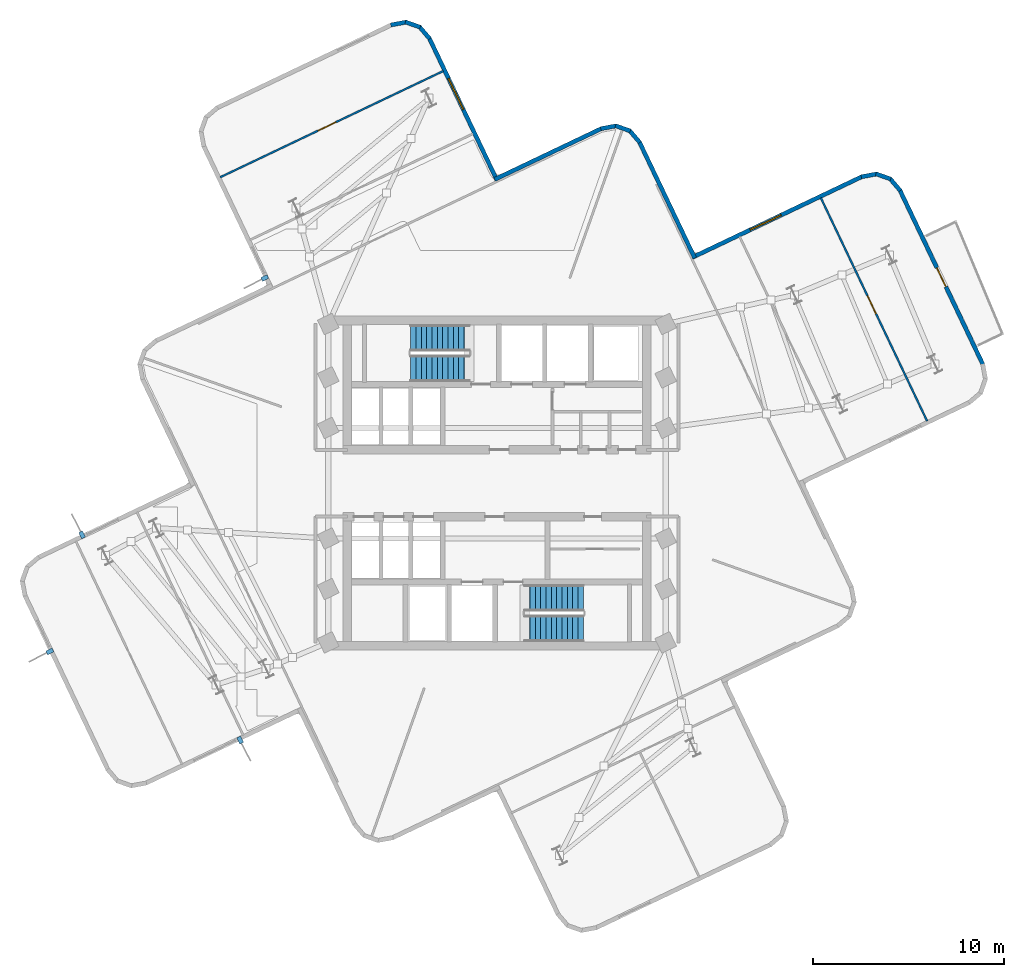
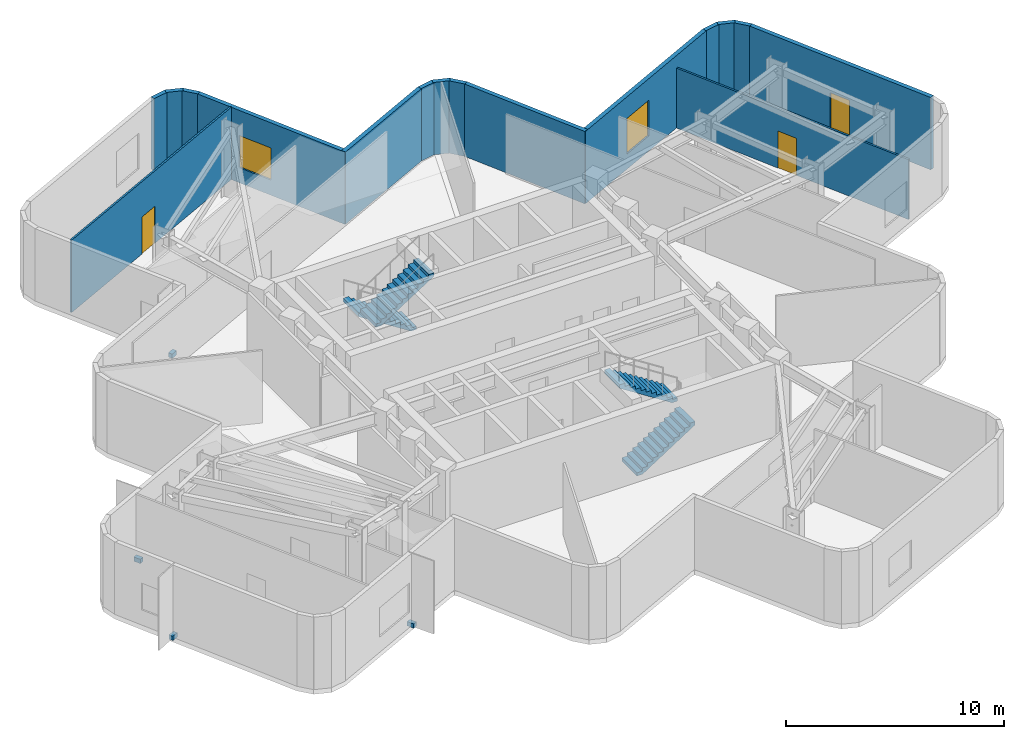
# One storey, part 5 of 7: 16 walls, 4 discrete accessories, 4 stair flights, 3 doors, 2 windows, 5 openings, 2 elements without a shape of their own.
"""IFC4 building model written with IfcOpenShell, lengths in metres."""

from ifc_helpers import new_model, si_unit, direction, frame, frame_2d, origin, origin_2d, place, context, subcontext, project, spatial, polyline, rectangle, outline, extrude, material, layer, layer_set, type_object, element, fill, aggregate, save


model = new_model("IFC4")

# Units and contexts
model_context = context("Model", 3, precision=1e-05, world=origin(), true_north=direction((0.0, 1.0)))
body_context = subcontext(model_context, "Body", "Model", "MODEL_VIEW")
ifc_project = project(units=[si_unit("LENGTHUNIT", "METRE"), si_unit("AREAUNIT", "SQUARE_METRE"), si_unit("VOLUMEUNIT", "CUBIC_METRE"), si_unit("PLANEANGLEUNIT", "RADIAN"), si_unit("MASSUNIT", "GRAM", prefix="KILO")], contexts=[model_context])

# Site, building, storey
site_placement = place(None, origin())
site = spatial("IfcSite", under=ifc_project, at=site_placement, CompositionType="ELEMENT")
building_placement = place(site_placement, origin())
building = spatial("IfcBuilding", under=site, at=building_placement, Name="Solmarez Civic Tower", CompositionType="ELEMENT")
storey_placement = place(building_placement, frame((0.0, 0.0, 188.280029296875)))
storey = spatial("IfcBuildingStorey", under=building, at=storey_placement, Name="L50", CompositionType="ELEMENT", Elevation=188.280029296875)

# Walls
ifc_material_1 = material(Name="Precast concrete C40/50", Category="concrete")
ifc_layer_1 = layer(ifc_material_1, 0.219970703125)
ifc_layer_set_1 = layer_set([ifc_layer_1], Name="Precast concrete C40/50")
wall_type_1 = type_object("IfcWallType", Name="WALL-EXT-220", PredefinedType="SOLIDWALL", material=ifc_layer_set_1)
wall_1_placement = place(storey_placement, frame((-5.572021484375, 24.034912109375, 0.0), z_axis=(0.0, 0.0, 1.0), x_axis=(0.983270369864, 0.182152078628, 0.0)))
element("IfcWall", 1, at=wall_1_placement, inside=storey, type_object=wall_type_1, Name="L50 Exterior Precast Wall 25", PredefinedType="SOLIDWALL", context=body_context, shape_type="SweptSolid", body=[
    extrude(rectangle(XDim=0.8349609375, YDim=0.219970703125, at=frame_2d((0.41748046875, 0.0))), origin(), (0.0, 0.0, 1.0), 4.06005859375),
])
wall_2_placement = place(storey_placement, frame((-4.800048828125, 24.18994140625, 0.0), z_axis=(0.0, 0.0, 1.0), x_axis=(0.94293533639, -0.332975902111, 0.0)))
element("IfcWall", 2, at=wall_2_placement, inside=storey, type_object=wall_type_1, Name="L50 Exterior Precast Wall 26", PredefinedType="SOLIDWALL", context=body_context, shape_type="SweptSolid", body=[
    extrude(rectangle(XDim=0.81982421875, YDim=0.219970703125, at=frame_2d((0.409912109375, 0.0))), origin(), (0.0, 0.0, 1.0), 4.06005859375),
])
wall_3_placement = place(storey_placement, frame((-4.06689453125, 23.944091796875, 0.0), z_axis=(0.0, 0.0, 1.0), x_axis=(0.648522984106, -0.761195072952, 0.0)))
element("IfcWall", 3, at=wall_3_placement, inside=storey, type_object=wall_type_1, Name="L50 Exterior Precast Wall 27", PredefinedType="SOLIDWALL", context=body_context, shape_type="SweptSolid", body=[
    extrude(rectangle(XDim=0.834228515625, YDim=0.219970703125, at=frame_2d((0.4169921875, 0.0))), origin(), (0.0, 0.0, 1.0), 4.06005859375),
])

# Wall, opening, window
wall_4_placement = place(storey_placement, frame((-3.552978515625, 23.35107421875, 0.0), z_axis=(0.0, 0.0, 1.0), x_axis=(0.429939317392, -0.902857786897, 0.0)))
wall_4 = element("IfcWall", 4, at=wall_4_placement, inside=storey, type_object=wall_type_1, Name="L50 Exterior Precast Wall 28", PredefinedType="SOLIDWALL", context=body_context, shape_type="SweptSolid", body=[
    extrude(rectangle(XDim=8.25927734375, YDim=0.219970703125, at=frame_2d((4.129638671875, 0.0))), origin(), (0.0, 0.0, 1.0), 4.06005859375),
])
opening_1_placement = place(wall_4_placement, frame((2.35009765625, 0.0, 0.85009765625)))
opening_1 = element("IfcOpeningElement", 5, at=opening_1_placement, cuts=wall_4, Name="Opening W-08", PredefinedType="OPENING", context=body_context, shape_type="SweptSolid", body=[
    extrude(rectangle(XDim=1.800048828125, YDim=1.800048828125, at=frame_2d((0.89990234375, 0.89990234375))), frame((0.0, 0.119873046875, 0.0), z_axis=(0.0, -1.0, 0.0), x_axis=(1.0, 0.0, 0.0)), (0.0, 0.0, 1.0), 0.239990234375),
])
ifc_material_2 = material(Name="Solar Control Bronze-Tinted Insulating Glass", Category="glass")
window_type_1 = type_object("IfcWindowType", Name="WIN-1800X1800", PartitioningType="SINGLE_PANEL", PredefinedType="WINDOW", material=ifc_material_2)
window_1_placement = place(opening_1_placement, origin())
window_1 = element("IfcWindow", 6, at=window_1_placement, inside=storey, type_object=window_type_1, Name="L50 Exterior Facade Window 28", OverallHeight=1.800048828125, OverallWidth=1.800048828125, PartitioningType="SINGLE_PANEL", PredefinedType="WINDOW", context=body_context, shape_type="SweptSolid", body=[
    extrude(rectangle(XDim=1.800048828125, YDim=1.800048828125, at=frame_2d((0.89990234375, 0.89990234375))), frame((0.0, 0.030029296875, 0.0), z_axis=(0.0, -1.0, 0.0), x_axis=(1.0, 0.0, 0.0)), (0.0, 0.0, 1.0), 0.06005859375),
])
fill(opening_1, window_1)

# Walls
wall_5_placement = place(storey_placement, frame((-0.118896484375, 15.93505859375, 0.0), z_axis=(0.0, 0.0, 1.0), x_axis=(0.902830035878, 0.429997588734, 0.0)))
element("IfcWall", 7, at=wall_5_placement, inside=storey, type_object=wall_type_1, Name="L50 Exterior Precast Wall 31", PredefinedType="SOLIDWALL", context=body_context, shape_type="SweptSolid", body=[
    extrude(rectangle(XDim=6.21826171875, YDim=0.219970703125, at=frame_2d((3.109130859375, 0.0))), origin(), (0.0, 0.0, 1.0), 4.06005859375),
])
wall_6_placement = place(storey_placement, frame((5.447021484375, 18.593017578125, 0.0), z_axis=(0.0, 0.0, 1.0), x_axis=(0.983060298944, 0.183282428617, 0.0)))
element("IfcWall", 8, at=wall_6_placement, inside=storey, type_object=wall_type_1, Name="L50 Exterior Precast Wall 32", PredefinedType="SOLIDWALL", context=body_context, shape_type="SweptSolid", body=[
    extrude(rectangle(XDim=0.835205078125, YDim=0.219970703125, at=frame_2d((0.41748046875, 0.0))), origin(), (0.0, 0.0, 1.0), 4.06005859375),
])
wall_7_placement = place(storey_placement, frame((6.218994140625, 18.7490234375, 0.0), z_axis=(0.0, 0.0, 1.0), x_axis=(0.942560843875, -0.33403451258, 0.0)))
element("IfcWall", 9, at=wall_7_placement, inside=storey, type_object=wall_type_1, Name="L50 Exterior Precast Wall 33", PredefinedType="SOLIDWALL", context=body_context, shape_type="SweptSolid", body=[
    extrude(rectangle(XDim=0.820068359375, YDim=0.219970703125, at=frame_2d((0.41015625, 0.0))), origin(), (0.0, 0.0, 1.0), 4.06005859375),
])
wall_8_placement = place(storey_placement, frame((6.951904296875, 18.501953125, 0.0), z_axis=(0.0, 0.0, 1.0), x_axis=(0.649101191157, -0.76070207285, 0.0)))
element("IfcWall", 10, at=wall_8_placement, inside=storey, type_object=wall_type_1, Name="L50 Exterior Precast Wall 34", PredefinedType="SOLIDWALL", context=body_context, shape_type="SweptSolid", body=[
    extrude(rectangle(XDim=0.83349609375, YDim=0.219970703125, at=frame_2d((0.416748046875, 0.0))), origin(), (0.0, 0.0, 1.0), 4.06005859375),
])
wall_9_placement = place(storey_placement, frame((7.466064453125, 17.909912109375, 0.0), z_axis=(0.0, 0.0, 1.0), x_axis=(0.429909746524, -0.902871867899, 0.0)))
element("IfcWall", 11, at=wall_9_placement, inside=storey, type_object=wall_type_1, Name="L50 Exterior Precast Wall 35", PredefinedType="SOLIDWALL", context=body_context, shape_type="SweptSolid", body=[
    extrude(rectangle(XDim=6.759521484375, YDim=0.219970703125, at=frame_2d((3.3798828125, 0.0))), origin(), (0.0, 0.0, 1.0), 4.06005859375),
])

# Wall, opening, window
wall_10_placement = place(storey_placement, frame((10.2548828125, 11.847900390625, 0.0), z_axis=(0.0, 0.0, 1.0), x_axis=(0.902845413107, 0.429965300962, 0.0)))
wall_10 = element("IfcWall", 12, at=wall_10_placement, inside=storey, type_object=wall_type_1, Name="L50 Exterior Precast Wall 38", PredefinedType="SOLIDWALL", context=body_context, shape_type="SweptSolid", body=[
    extrude(rectangle(XDim=9.85888671875, YDim=0.219970703125, at=frame_2d((4.929443359375, 0.0))), origin(), (0.0, 0.0, 1.0), 4.06005859375),
])
opening_2_placement = place(wall_10_placement, frame((3.35009765625, 0.0, 0.85009765625)))
opening_2 = element("IfcOpeningElement", 13, at=opening_2_placement, cuts=wall_10, Name="Opening W-04", PredefinedType="OPENING", context=body_context, shape_type="SweptSolid", body=[
    extrude(rectangle(XDim=1.800048828125, YDim=2.0, at=frame_2d((0.89990234375, 1.0))), frame((0.0, 0.119873046875, 0.0), z_axis=(0.0, -1.0, 0.0), x_axis=(1.0, 0.0, 0.0)), (0.0, 0.0, 1.0), 0.239990234375),
])
window_type_2 = type_object("IfcWindowType", Name="WIN-1800X2000", PartitioningType="SINGLE_PANEL", PredefinedType="WINDOW", material=ifc_material_2)
window_2_placement = place(opening_2_placement, origin())
window_2 = element("IfcWindow", 14, at=window_2_placement, inside=storey, type_object=window_type_2, Name="L50 Exterior Facade Window 38", OverallHeight=2.0, OverallWidth=1.800048828125, PartitioningType="SINGLE_PANEL", PredefinedType="WINDOW", context=body_context, shape_type="SweptSolid", body=[
    extrude(rectangle(XDim=1.800048828125, YDim=2.0, at=frame_2d((0.89990234375, 1.0))), frame((0.0, 0.030029296875, 0.0), z_axis=(0.0, -1.0, 0.0), x_axis=(1.0, 0.0, 0.0)), (0.0, 0.0, 1.0), 0.06005859375),
])
fill(opening_2, window_2)

# Walls
wall_11_placement = place(storey_placement, frame((19.10791015625, 16.071044921875, 0.0), z_axis=(0.0, 0.0, 1.0), x_axis=(0.983322698467, 0.181869378069, 0.0)))
element("IfcWall", 15, at=wall_11_placement, inside=storey, type_object=wall_type_1, Name="L50 Exterior Precast Wall 39", PredefinedType="SOLIDWALL", context=body_context, shape_type="SweptSolid", body=[
    extrude(rectangle(XDim=0.8349609375, YDim=0.219970703125, at=frame_2d((0.41748046875, 0.0))), origin(), (0.0, 0.0, 1.0), 4.06005859375),
])
wall_12_placement = place(storey_placement, frame((19.8798828125, 16.22607421875, 0.0), z_axis=(0.0, 0.0, 1.0), x_axis=(0.942874853658, -0.333147130168, 0.0)))
element("IfcWall", 16, at=wall_12_placement, inside=storey, type_object=wall_type_1, Name="L50 Exterior Precast Wall 40", PredefinedType="SOLIDWALL", context=body_context, shape_type="SweptSolid", body=[
    extrude(rectangle(XDim=0.820068359375, YDim=0.219970703125, at=frame_2d((0.41015625, 0.0))), origin(), (0.0, 0.0, 1.0), 4.06005859375),
])
wall_13_placement = place(storey_placement, frame((20.613037109375, 15.97998046875, 0.0), z_axis=(0.0, 0.0, 1.0), x_axis=(0.648522984106, -0.761195072952, 0.0)))
element("IfcWall", 17, at=wall_13_placement, inside=storey, type_object=wall_type_1, Name="L50 Exterior Precast Wall 41", PredefinedType="SOLIDWALL", context=body_context, shape_type="SweptSolid", body=[
    extrude(rectangle(XDim=0.834228515625, YDim=0.219970703125, at=frame_2d((0.4169921875, 0.0))), origin(), (0.0, 0.0, 1.0), 4.06005859375),
])

# Wall, opening, door
wall_14_placement = place(storey_placement, frame((21.126953125, 15.386962890625, 0.0), z_axis=(0.0, 0.0, 1.0), x_axis=(0.429860836932, -0.902895154972, 0.0)))
wall_14 = element("IfcWall", 18, at=wall_14_placement, inside=storey, type_object=wall_type_1, Name="L50 Exterior Precast Wall 42", PredefinedType="SOLIDWALL", context=body_context, shape_type="SweptSolid", body=[
    extrude(rectangle(XDim=10.161865234375, YDim=0.219970703125, at=frame_2d((5.0810546875, 0.0))), origin(), (0.0, 0.0, 1.0), 4.06005859375),
])
opening_3_placement = place(wall_14_placement, frame((4.531005859375, 0.0, 0.0)))
opening_3 = element("IfcOpeningElement", 19, at=opening_3_placement, cuts=wall_14, Name="Opening D-06", PredefinedType="OPENING", context=body_context, shape_type="SweptSolid", body=[
    extrude(rectangle(XDim=1.10009765625, YDim=2.10009765625, at=frame_2d((0.550048828125, 1.050048828125))), frame((0.0, 0.119873046875, 0.0), z_axis=(0.0, -1.0, 0.0), x_axis=(1.0, 0.0, 0.0)), (0.0, 0.0, 1.0), 0.239990234375),
])
ifc_material_3 = material(Name="Bronze Anodised Aluminium Glazed Terrace Door", Category="aluminium")
door_type_1 = type_object("IfcDoorType", Name="DOOR-TERR-1100", OperationType="NOTDEFINED", PredefinedType="DOOR", material=ifc_material_3)
door_1_placement = place(opening_3_placement, origin())
door_1 = element("IfcDoor", 20, at=door_1_placement, inside=storey, type_object=door_type_1, Name="L50 Outdoor Terrace Glazed Door", OperationType="SINGLE_SWING_RIGHT", OverallHeight=2.10009765625, OverallWidth=1.10009765625, PredefinedType="DOOR", context=body_context, shape_type="SweptSolid", body=[
    extrude(rectangle(XDim=1.10009765625, YDim=2.10009765625, at=frame_2d((0.550048828125, 1.050048828125))), frame((0.0, 0.02490234375, 0.0), z_axis=(0.0, -1.0, 0.0), x_axis=(1.0, 0.0, 0.0)), (0.0, 0.0, 1.0), 0.050048828125),
])
fill(opening_3, door_1)

ifc_material_4 = material(Name="Gypsum Board Acoustic Steel-Stud Partition", Category="steel")
ifc_layer_2 = layer(ifc_material_4, 0.10009765625)
ifc_layer_set_2 = layer_set([ifc_layer_2], Name="Gypsum Board Acoustic Steel-Stud Partition")
wall_type_2 = type_object("IfcWallType", Name="WALL-INT-PART-100", PredefinedType="PARTITIONING", material=ifc_layer_set_2)
wall_15_placement = place(storey_placement, frame((16.98388671875, 14.969970703125, 0.0), z_axis=(0.0, 0.0, 1.0), x_axis=(0.429933580392, -0.902860518824, 0.0)))
wall_15 = element("IfcWall", 21, at=wall_15_placement, inside=storey, type_object=wall_type_2, Name="L50 Interior Partition PT-L50-E-SC2", PredefinedType="PARTITIONING", context=body_context, shape_type="SweptSolid", body=[
    extrude(rectangle(XDim=12.9697265625, YDim=0.10009765625, at=frame_2d((6.48486328125, 0.0))), origin(), (0.0, 0.0, 1.0), 3.364013671875),
])
opening_4_placement = place(wall_15_placement, frame((5.68994140625, 0.0, 0.0)))
opening_4 = element("IfcOpeningElement", 22, at=opening_4_placement, cuts=wall_15, Name="Opening D-13", PredefinedType="OPENING", context=body_context, shape_type="SweptSolid", body=[
    extrude(rectangle(XDim=1.050048828125, YDim=2.080078125, at=frame_2d((0.52490234375, 1.0400390625))), frame((0.0, 0.06005859375, 0.0), z_axis=(0.0, -1.0, 0.0), x_axis=(1.0, 0.0, 0.0)), (0.0, 0.0, 1.0), 0.1201171875),
])
ifc_material_5 = material(Name="Timber Directorate Office Door", Category="wood")
door_type_2 = type_object("IfcDoorType", Name="DOOR-INT-1050", OperationType="NOTDEFINED", PredefinedType="DOOR", material=ifc_material_5)
door_2_placement = place(opening_4_placement, origin())
door_2 = element("IfcDoor", 23, at=door_2_placement, inside=storey, type_object=door_type_2, Name="L50 Delegates Lounge East Door", OperationType="SINGLE_SWING_RIGHT", OverallHeight=2.080078125, OverallWidth=1.050048828125, PredefinedType="DOOR", context=body_context, shape_type="SweptSolid", body=[
    extrude(rectangle(XDim=1.050048828125, YDim=2.080078125, at=frame_2d((0.52490234375, 1.0400390625))), frame((0.0, 0.02490234375, 0.0), z_axis=(0.0, -1.0, 0.0), x_axis=(1.0, 0.0, 0.0)), (0.0, 0.0, 1.0), 0.050048828125),
])
fill(opening_4, door_2)

wall_16_placement = place(storey_placement, frame((-14.52294921875, 16.044921875, 0.0), z_axis=(0.0, 0.0, 1.0), x_axis=(0.902860518824, 0.429933580392, 0.0)))
wall_16 = element("IfcWall", 24, at=wall_16_placement, inside=storey, type_object=wall_type_2, Name="L50 Interior Partition PT-L50-N-SC2", PredefinedType="PARTITIONING", context=body_context, shape_type="SweptSolid", body=[
    extrude(rectangle(XDim=12.9697265625, YDim=0.10009765625, at=frame_2d((6.48486328125, 0.0))), origin(), (0.0, 0.0, 1.0), 4.06005859375),
])
opening_5_placement = place(wall_16_placement, frame((5.68994140625, 0.0, 0.0)))
opening_5 = element("IfcOpeningElement", 25, at=opening_5_placement, cuts=wall_16, Name="Opening D-13", PredefinedType="OPENING", context=body_context, shape_type="SweptSolid", body=[
    extrude(rectangle(XDim=1.050048828125, YDim=2.080078125, at=frame_2d((0.52490234375, 1.0400390625))), frame((0.0, 0.06005859375, 0.0), z_axis=(0.0, -1.0, 0.0), x_axis=(1.0, 0.0, 0.0)), (0.0, 0.0, 1.0), 0.1201171875),
])
door_3_placement = place(opening_5_placement, origin())
door_3 = element("IfcDoor", 26, at=door_3_placement, inside=storey, type_object=door_type_2, Name="L50 Tribunal Mediation Conference Room North Door", OperationType="SINGLE_SWING_RIGHT", OverallHeight=2.080078125, OverallWidth=1.050048828125, PredefinedType="DOOR", context=body_context, shape_type="SweptSolid", body=[
    extrude(rectangle(XDim=1.050048828125, YDim=2.080078125, at=frame_2d((0.52490234375, 1.0400390625))), frame((0.0, 0.02490234375, 0.0), z_axis=(0.0, -1.0, 0.0), x_axis=(1.0, 0.0, 0.0)), (0.0, 0.0, 1.0), 0.050048828125),
])
fill(opening_5, door_3)

# Stair, stair flights
ifc_material_6 = material(Name="Concrete C50/60", Category="concrete")
stair_type = type_object("IfcStairType", Name="STAIR-DOGLEG-140W-24R-1800", PredefinedType="HALF_TURN_STAIR", material=ifc_material_6)
stair_1_placement = place(storey_placement, origin())
stair_1 = element("IfcStair", 27, at=stair_1_placement, inside=storey, type_object=stair_type, Name="L50 North Core Protected Exit Stair ST-1", PredefinedType="HALF_TURN_STAIR")
stair_flight_type = type_object("IfcStairFlightType", Name="FLIGHT-DOGLEG-140W-12R-1800", PredefinedType="STRAIGHT", material=ifc_material_6)
stair_flight_1_placement = place(storey_placement, frame((-1.449951171875, 7.6201171875, 0.0), z_axis=(0.0, 0.0, 1.0), x_axis=(-1.0, 0.0, 0.0)))
stair_flight_1 = element("IfcStairFlight", 28, at=stair_flight_1_placement, type_object=stair_flight_type, Name="ST-1 flight 1", NumberOfRisers=12, NumberOfTreads=11, PredefinedType="STRAIGHT", RiserHeight=0.18, TreadLength=0.28, context=body_context, shape_type="SweptSolid", body=[
    extrude(outline(polyline([(0.0, 0.0), (0.0, 0.179931640625), (0.280029296875, 0.179931640625), (0.280029296875, 0.360107421875), (0.56005859375, 0.360107421875), (0.56005859375, 0.5400390625), (0.840087890625, 0.5400390625), (0.840087890625, 0.719970703125), (1.1201171875, 0.719970703125), (1.1201171875, 0.89990234375), (1.39990234375, 0.89990234375), (1.39990234375, 1.080078125), (1.679931640625, 1.080078125), (1.679931640625, 1.260009765625), (1.9599609375, 1.260009765625), (1.9599609375, 1.43994140625), (2.239990234375, 1.43994140625), (2.239990234375, 1.6201171875), (2.52001953125, 1.6201171875), (2.52001953125, 1.800048828125), (2.800048828125, 1.800048828125), (2.800048828125, 1.97998046875), (3.080078125, 1.97998046875), (3.080078125, 2.159912109375), (3.080078125, 1.789794921875), (0.295654296875, 0.0), (0.0, 0.0)])), frame((0.0, 0.699951171875, 0.0), z_axis=(0.0, -1.0, 0.0), x_axis=(1.0, 0.0, 0.0)), (0.0, 0.0, 1.0), 1.39990234375),
])
stair_flight_2_placement = place(storey_placement, frame((-4.530029296875, 6.02001953125, 2.159912109375), z_axis=(0.0, 0.0, 1.0), x_axis=(1.0, 0.0, 0.0)))
stair_flight_2 = element("IfcStairFlight", 29, at=stair_flight_2_placement, type_object=stair_flight_type, Name="ST-1 flight 2", NumberOfRisers=12, NumberOfTreads=11, PredefinedType="STRAIGHT", RiserHeight=0.18, TreadLength=0.28, context=body_context, shape_type="SweptSolid", body=[
    extrude(outline(polyline([(0.0, 0.0), (0.0, 0.179931640625), (0.280029296875, 0.179931640625), (0.280029296875, 0.360107421875), (0.56005859375, 0.360107421875), (0.56005859375, 0.5400390625), (0.840087890625, 0.5400390625), (0.840087890625, 0.719970703125), (1.1201171875, 0.719970703125), (1.1201171875, 0.89990234375), (1.39990234375, 0.89990234375), (1.39990234375, 1.080078125), (1.679931640625, 1.080078125), (1.679931640625, 1.260009765625), (1.9599609375, 1.260009765625), (1.9599609375, 1.43994140625), (2.239990234375, 1.43994140625), (2.239990234375, 1.6201171875), (2.52001953125, 1.6201171875), (2.52001953125, 1.800048828125), (2.800048828125, 1.800048828125), (2.800048828125, 1.97998046875), (3.080078125, 1.97998046875), (3.080078125, 2.159912109375), (3.080078125, 1.789794921875), (0.295654296875, 0.0), (0.0, 0.0)])), frame((0.0, 0.699951171875, 0.0), z_axis=(0.0, -1.0, 0.0), x_axis=(1.0, 0.0, 0.0)), (0.0, 0.0, 1.0), 1.39990234375),
])
aggregate(stair_1, [stair_flight_1, stair_flight_2])

stair_2_placement = place(storey_placement, origin())
stair_2 = element("IfcStair", 30, at=stair_2_placement, inside=storey, type_object=stair_type, Name="L50 South Core Protected Exit Stair ST-2", PredefinedType="HALF_TURN_STAIR")
stair_flight_3_placement = place(storey_placement, frame((1.449951171875, -7.6201171875, 0.0), z_axis=(0.0, 0.0, 1.0), x_axis=(1.0, 0.0, 0.0)))
stair_flight_3 = element("IfcStairFlight", 31, at=stair_flight_3_placement, type_object=stair_flight_type, Name="ST-2 flight 1", NumberOfRisers=12, NumberOfTreads=11, PredefinedType="STRAIGHT", RiserHeight=0.18, TreadLength=0.28, context=body_context, shape_type="SweptSolid", body=[
    extrude(outline(polyline([(0.0, 0.0), (0.0, 0.179931640625), (0.280029296875, 0.179931640625), (0.280029296875, 0.360107421875), (0.56005859375, 0.360107421875), (0.56005859375, 0.5400390625), (0.840087890625, 0.5400390625), (0.840087890625, 0.719970703125), (1.1201171875, 0.719970703125), (1.1201171875, 0.89990234375), (1.39990234375, 0.89990234375), (1.39990234375, 1.080078125), (1.679931640625, 1.080078125), (1.679931640625, 1.260009765625), (1.9599609375, 1.260009765625), (1.9599609375, 1.43994140625), (2.239990234375, 1.43994140625), (2.239990234375, 1.6201171875), (2.52001953125, 1.6201171875), (2.52001953125, 1.800048828125), (2.800048828125, 1.800048828125), (2.800048828125, 1.97998046875), (3.080078125, 1.97998046875), (3.080078125, 2.159912109375), (3.080078125, 1.789794921875), (0.295654296875, 0.0), (0.0, 0.0)])), frame((0.0, 0.699951171875, 0.0), z_axis=(0.0, -1.0, 0.0), x_axis=(1.0, 0.0, 0.0)), (0.0, 0.0, 1.0), 1.39990234375),
])
stair_flight_4_placement = place(storey_placement, frame((4.530029296875, -6.02001953125, 2.159912109375), z_axis=(0.0, 0.0, 1.0), x_axis=(-1.0, 0.0, 0.0)))
stair_flight_4 = element("IfcStairFlight", 32, at=stair_flight_4_placement, type_object=stair_flight_type, Name="ST-2 flight 2", NumberOfRisers=12, NumberOfTreads=11, PredefinedType="STRAIGHT", RiserHeight=0.18, TreadLength=0.28, context=body_context, shape_type="SweptSolid", body=[
    extrude(outline(polyline([(0.0, 0.0), (0.0, 0.179931640625), (0.280029296875, 0.179931640625), (0.280029296875, 0.360107421875), (0.56005859375, 0.360107421875), (0.56005859375, 0.5400390625), (0.840087890625, 0.5400390625), (0.840087890625, 0.719970703125), (1.1201171875, 0.719970703125), (1.1201171875, 0.89990234375), (1.39990234375, 0.89990234375), (1.39990234375, 1.080078125), (1.679931640625, 1.080078125), (1.679931640625, 1.260009765625), (1.9599609375, 1.260009765625), (1.9599609375, 1.43994140625), (2.239990234375, 1.43994140625), (2.239990234375, 1.6201171875), (2.52001953125, 1.6201171875), (2.52001953125, 1.800048828125), (2.800048828125, 1.800048828125), (2.800048828125, 1.97998046875), (3.080078125, 1.97998046875), (3.080078125, 2.159912109375), (3.080078125, 1.789794921875), (0.295654296875, 0.0), (0.0, 0.0)])), frame((0.0, 0.699951171875, 0.0), z_axis=(0.0, -1.0, 0.0), x_axis=(1.0, 0.0, 0.0)), (0.0, 0.0, 1.0), 1.39990234375),
])
aggregate(stair_2, [stair_flight_3, stair_flight_4])

# Discrete accessories
ifc_material_7 = material(Name="Stainless Steel Grade 1.4401", Category="steel")
discrete_accessory_type = type_object("IfcDiscreteAccessoryType", Name="BRACKET-SS-FIN", PredefinedType="BRACKET", material=ifc_material_7)
for number, where, z_axis, x_axis, name in (
    (33, (-13.470947265625, -13.468017578125, -0.06005859375), (0.0, 0.0, 1.0), (0.429959617259, -0.902848119856, 0.0), "L50 Stainless Fin Support Bracket FIN-L50-01"),
    (34, (-23.4541015625, -8.823974609375, -0.06005859375), (0.0, 0.0, 1.0), (-0.902922662291, -0.429803054807, 0.0), "L50 Stainless Fin Support Bracket FIN-L50-02"),
    (35, (-21.760986328125, -2.70703125, -0.06005859375), (0.0, 0.0, 1.0), (-0.429872838575, 0.902889440992, 0.0), "L50 Stainless Fin Support Bracket FIN-L50-03"),
    (36, (-12.177978515625, 10.761962890625, -0.06005859375), (0.0, 0.0, 1.0), (-0.902855980118, -0.429943111545, 0.0), "L50 Stainless Fin Support Bracket FIN-L50-04"),
):
    element("IfcDiscreteAccessory", number, at=place(storey_placement, frame(where, z_axis=z_axis, x_axis=x_axis)), inside=storey, type_object=discrete_accessory_type, Name=name, PredefinedType="BRACKET", context=body_context, shape_type="SweptSolid", body=[
        extrude(rectangle(XDim=0.360107421875, YDim=0.219970703125, at=origin_2d()), origin(), (0.0, 0.0, 1.0), 0.239990234375),
    ])

save(model, "model.ifc")
